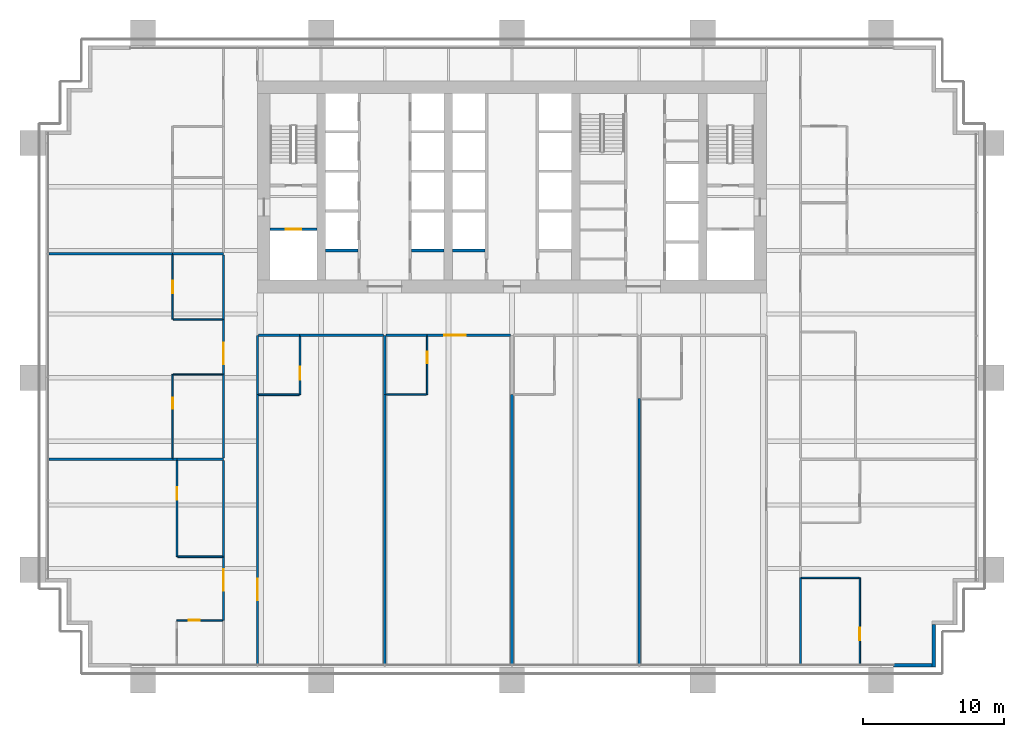
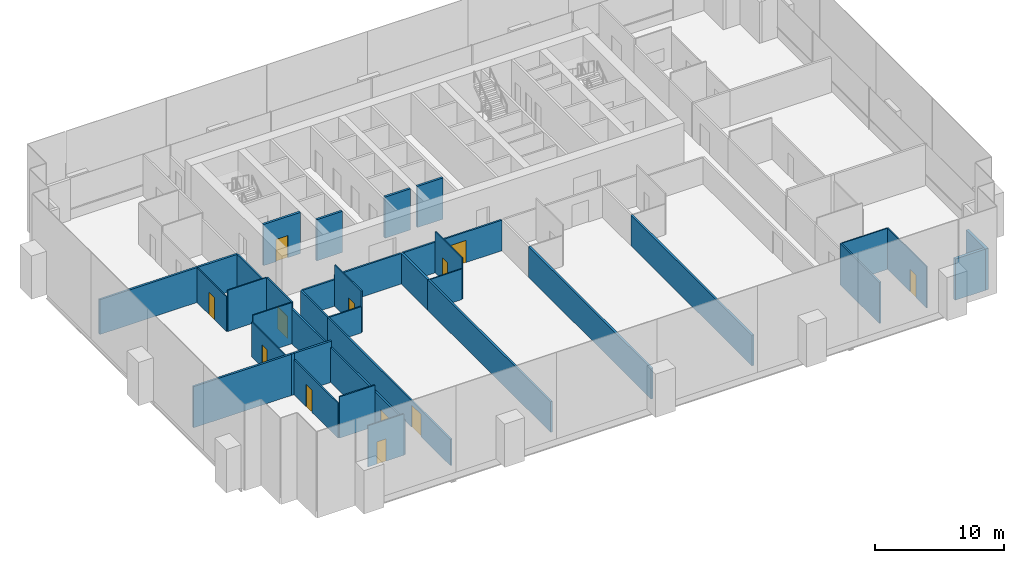
# One storey, part 11 of 18: 40 walls, 12 doors, 12 openings.
"""IFC4 building model written with IfcOpenShell, lengths in metres."""

from ifc_helpers import new_model, si_unit, direction, frame, frame_2d, origin, place, context, subcontext, project, spatial, rectangle, extrude, material, layer, layer_set, type_object, element, fill, save


model = new_model("IFC4")

# Units and contexts
model_context = context("Model", 3, precision=1e-05, world=origin(), true_north=direction((0.0, 1.0)))
body_context = subcontext(model_context, "Body", "Model", "MODEL_VIEW")
ifc_project = project(units=[si_unit("LENGTHUNIT", "METRE"), si_unit("AREAUNIT", "SQUARE_METRE"), si_unit("VOLUMEUNIT", "CUBIC_METRE"), si_unit("PLANEANGLEUNIT", "RADIAN"), si_unit("MASSUNIT", "GRAM", prefix="KILO")], contexts=[model_context])

# Site, building, storey
site_placement = place(None, origin())
site = spatial("IfcSite", under=ifc_project, at=site_placement, CompositionType="ELEMENT")
building_placement = place(site_placement, origin())
building = spatial("IfcBuilding", under=site, at=building_placement, Name="Rattan Terrace Tower", CompositionType="ELEMENT")
storey_placement = place(building_placement, frame((0.0, 0.0, 57.0)))
storey = spatial("IfcBuildingStorey", under=building, at=storey_placement, Name="L12", CompositionType="ELEMENT", Elevation=57.0)

# Wall, opening, door
ifc_material_1 = material(Name="Gypsum board partition")
ifc_layer_1 = layer(ifc_material_1, 0.199951171875)
ifc_layer_set_1 = layer_set([ifc_layer_1], Name="Core partition 200")
wall_type_1 = type_object("IfcWallType", Name="Core partition 200", PredefinedType="PARTITIONING", material=ifc_layer_set_1)
wall_1_placement = place(storey_placement, frame((-17.10009765625, -3.0, 0.0), z_axis=(0.0, 0.0, 1.0), x_axis=(1.0, 0.0, 0.0)))
wall_1 = element("IfcWall", 1, at=wall_1_placement, inside=storey, type_object=wall_type_1, Name="Fire-fighting lobby wall", PredefinedType="PARTITIONING", context=body_context, shape_type="SweptSolid", body=[
    extrude(rectangle(XDim=3.300048828125, YDim=0.199951171875, at=frame_2d((1.64990234375, 0.0))), origin(), (0.0, 0.0, 1.0), 3.89990234375),
])
opening_1_placement = place(wall_1_placement, frame((1.10009765625, 0.0, 0.0)))
opening_1 = element("IfcOpeningElement", 2, at=opening_1_placement, cuts=wall_1, Name="Opening L12-LD-FF1", PredefinedType="OPENING", context=body_context, shape_type="SweptSolid", body=[
    extrude(rectangle(XDim=1.10009765625, YDim=2.10009765625, at=frame_2d((0.550048828125, 1.050048828125))), frame((0.0, 0.110595703125, 0.0), z_axis=(0.0, -1.0, 0.0), x_axis=(1.0, 0.0, 0.0)), (0.0, 0.0, 1.0), 0.220947265625),
])
ifc_material_2 = material(Name="Brushed stainless landing door panel")
door_type_1 = type_object("IfcDoorType", Name="Core lift landing door 1100", OperationType="DOUBLE_DOOR_SLIDING", PredefinedType="DOOR", material=ifc_material_2)
door_1_placement = place(opening_1_placement, origin())
door_1 = element("IfcDoor", 3, at=door_1_placement, inside=storey, type_object=door_type_1, Name="Door L12-LD-FF1", OperationType="DOUBLE_DOOR_SLIDING", OverallHeight=2.10009765625, OverallWidth=1.10009765625, PredefinedType="DOOR", context=body_context, shape_type="SweptSolid", body=[
    extrude(rectangle(XDim=1.10009765625, YDim=2.10009765625, at=frame_2d((0.550048828125, 1.050048828125))), frame((0.0, 0.02490234375, 0.0), z_axis=(0.0, -1.0, 0.0), x_axis=(1.0, 0.0, 0.0)), (0.0, 0.0, 1.0), 0.050048828125),
])
fill(opening_1, door_1)

# Walls
ifc_material_3 = material(Name="Insulated aluminium-clad stud wall", Category="aluminium")
ifc_layer_2 = layer(ifc_material_3, 0.25)
ifc_layer_set_2 = layer_set([ifc_layer_2], Name="Facade Riser Wall 250")
wall_type_2 = type_object("IfcWallType", Name="Facade Riser Wall 250", PredefinedType="SOLIDWALL", material=ifc_layer_set_2)
wall_2_placement = place(storey_placement, frame((27.0, -33.830078125, 0.0), z_axis=(0.0, 0.0, 1.0), x_axis=(1.0, 0.0, 0.0)))
element("IfcWall", 4, at=wall_2_placement, inside=storey, type_object=wall_type_2, Name="Riser wall L12-1", PredefinedType="SOLIDWALL", context=body_context, shape_type="SweptSolid", body=[
    extrude(rectangle(XDim=2.705078125, YDim=0.25, at=frame_2d((1.3525390625, 0.0))), origin(), (0.0, 0.0, 1.0), 3.89990234375),
])
wall_3_placement = place(storey_placement, frame((29.830078125, -33.955078125, 0.0), z_axis=(0.0, 0.0, 1.0), x_axis=(0.0, 1.0, 0.0)))
element("IfcWall", 5, at=wall_3_placement, inside=storey, type_object=wall_type_2, Name="Riser wall L12-2", PredefinedType="SOLIDWALL", context=body_context, shape_type="SweptSolid", body=[
    extrude(rectangle(XDim=3.0, YDim=0.25, at=frame_2d((1.5, 0.0))), origin(), (0.0, 0.0, 1.0), 3.89990234375),
])
ifc_material_4 = material(Name="Double steel stud acoustic partition, gypsum board, mineral wool, fire rated", Category="steel")
ifc_layer_3 = layer(ifc_material_4, 0.179931640625)
ifc_layer_set_3 = layer_set([ifc_layer_3], Name="Floors Acoustic Party Wall 180")
wall_type_3 = type_object("IfcWallType", Name="Floors Acoustic Party Wall 180", PredefinedType="PARTITIONING", material=ifc_layer_set_3)
wall_4_placement = place(storey_placement, frame((-32.739990234375, -19.27294921875, 0.0), z_axis=(0.0, 0.0, 1.0), x_axis=(1.0, 0.0, 0.0)))
element("IfcWall", 6, at=wall_4_placement, inside=storey, type_object=wall_type_3, Name="pt-L12-035", PredefinedType="PARTITIONING", context=body_context, shape_type="SweptSolid", body=[
    extrude(rectangle(XDim=8.760009765625, YDim=0.179931640625, at=frame_2d((4.3798828125, 0.0))), origin(), (0.0, 0.0, 1.0), 3.89990234375),
])
wall_5_placement = place(storey_placement, frame((-23.97998046875, -19.27294921875, 0.0), z_axis=(0.0, 0.0, 1.0), x_axis=(1.0, 0.0, 0.0)))
element("IfcWall", 7, at=wall_5_placement, inside=storey, type_object=wall_type_3, Name="pt-L12-036", PredefinedType="PARTITIONING", context=body_context, shape_type="SweptSolid", body=[
    extrude(rectangle(XDim=0.280029296875, YDim=0.179931640625, at=frame_2d((0.14013671875, 0.0))), origin(), (0.0, 0.0, 1.0), 3.89990234375),
])
wall_6_placement = place(storey_placement, frame((-23.699951171875, -19.27294921875, 0.0), z_axis=(0.0, 0.0, 1.0), x_axis=(1.0, 0.0, 0.0)))
element("IfcWall", 8, at=wall_6_placement, inside=storey, type_object=wall_type_3, Name="pt-L12-037", PredefinedType="PARTITIONING", context=body_context, shape_type="SweptSolid", body=[
    extrude(rectangle(XDim=3.300048828125, YDim=0.179931640625, at=frame_2d((1.64990234375, 0.0))), origin(), (0.0, 0.0, 1.0), 3.89990234375),
])
wall_7_placement = place(storey_placement, frame((-32.739990234375, -4.72705078125, 0.0), z_axis=(0.0, 0.0, 1.0), x_axis=(1.0, 0.0, 0.0)))
element("IfcWall", 9, at=wall_7_placement, inside=storey, type_object=wall_type_3, Name="pt-L12-042", PredefinedType="PARTITIONING", context=body_context, shape_type="SweptSolid", body=[
    extrude(rectangle(XDim=8.739990234375, YDim=0.179931640625, at=frame_2d((4.3701171875, 0.0))), origin(), (0.0, 0.0, 1.0), 3.300048828125),
])
wall_8_placement = place(storey_placement, frame((-24.0, -4.72705078125, 0.0), z_axis=(0.0, 0.0, 1.0), x_axis=(1.0, 0.0, 0.0)))
element("IfcWall", 10, at=wall_8_placement, inside=storey, type_object=wall_type_3, Name="pt-L12-043", PredefinedType="PARTITIONING", context=body_context, shape_type="SweptSolid", body=[
    extrude(rectangle(XDim=3.60009765625, YDim=0.179931640625, at=frame_2d((1.800048828125, 0.0))), origin(), (0.0, 0.0, 1.0), 3.300048828125),
])
wall_9_placement = place(storey_placement, frame((-9.0, -14.679931640625, 0.0), z_axis=(0.0, 0.0, 1.0), x_axis=(0.0, -1.0, 0.0)))
element("IfcWall", 11, at=wall_9_placement, inside=storey, type_object=wall_type_3, Name="pt-L12-065", PredefinedType="PARTITIONING", context=body_context, shape_type="SweptSolid", body=[
    extrude(rectangle(XDim=19.06005859375, YDim=0.179931640625, at=frame_2d((9.530029296875, 0.0))), origin(), (0.0, 0.0, 1.0), 2.89990234375),
])
wall_10_placement = place(storey_placement, frame((-9.0, -10.5, 0.0), z_axis=(0.0, 0.0, 1.0), x_axis=(0.0, -1.0, 0.0)))
element("IfcWall", 12, at=wall_10_placement, inside=storey, type_object=wall_type_3, Name="pt-L12-066", PredefinedType="PARTITIONING", context=body_context, shape_type="SweptSolid", body=[
    extrude(rectangle(XDim=4.179931640625, YDim=0.179931640625, at=frame_2d((2.08984375, 0.0))), origin(), (0.0, 0.0, 1.0), 2.89990234375),
])
wall_11_placement = place(storey_placement, frame((0.0, -14.679931640625, 0.0), z_axis=(0.0, 0.0, 1.0), x_axis=(0.0, -1.0, 0.0)))
element("IfcWall", 13, at=wall_11_placement, inside=storey, type_object=wall_type_3, Name="pt-L12-069", PredefinedType="PARTITIONING", context=body_context, shape_type="SweptSolid", body=[
    extrude(rectangle(XDim=19.06005859375, YDim=0.179931640625, at=frame_2d((9.530029296875, 0.0))), origin(), (0.0, 0.0, 1.0), 2.89990234375),
])
wall_12_placement = place(storey_placement, frame((9.0, -14.97998046875, 0.0), z_axis=(0.0, 0.0, 1.0), x_axis=(0.0, -1.0, 0.0)))
element("IfcWall", 14, at=wall_12_placement, inside=storey, type_object=wall_type_3, Name="pt-L12-073", PredefinedType="PARTITIONING", context=body_context, shape_type="SweptSolid", body=[
    extrude(rectangle(XDim=18.760009765625, YDim=0.179931640625, at=frame_2d((9.3798828125, 0.0))), origin(), (0.0, 0.0, 1.0), 2.89990234375),
])

# Wall, opening, door
ifc_material_5 = material(Name="Gypsum board partition on steel studs", Category="steel")
ifc_layer_4 = layer(ifc_material_5, 0.10009765625)
ifc_layer_set_4 = layer_set([ifc_layer_4], Name="Floors Partition 100")
wall_type_4 = type_object("IfcWallType", Name="Floors Partition 100", PredefinedType="PARTITIONING", material=ifc_layer_set_4)
wall_13_placement = place(storey_placement, frame((-20.47509765625, -30.659912109375, 0.0), z_axis=(0.0, 0.0, 1.0), x_axis=(-1.0, 0.0, 0.0)))
wall_13 = element("IfcWall", 15, at=wall_13_placement, inside=storey, type_object=wall_type_4, Name="pt-L12-032", PredefinedType="PARTITIONING", context=body_context, shape_type="SweptSolid", body=[
    extrude(rectangle(XDim=3.224853515625, YDim=0.10009765625, at=frame_2d((1.6123046875, 0.0))), origin(), (0.0, 0.0, 1.0), 3.89990234375),
])
opening_2_placement = place(wall_13_placement, frame((1.596923828125, 0.0, 0.0)))
opening_2 = element("IfcOpeningElement", 16, at=opening_2_placement, cuts=wall_13, Name="Opening L12-D101", PredefinedType="OPENING", context=body_context, shape_type="SweptSolid", body=[
    extrude(rectangle(XDim=0.800048828125, YDim=2.10009765625, at=frame_2d((0.39990234375, 1.050048828125))), frame((0.0, 0.060546875, 0.0), z_axis=(0.0, -1.0, 0.0), x_axis=(1.0, 0.0, 0.0)), (0.0, 0.0, 1.0), 0.12109375),
])
ifc_material_6 = material(Name="Solid core timber door, painted", Category="wood")
door_type_2 = type_object("IfcDoorType", Name="Floors Store Door 800x2100", OperationType="NOTDEFINED", PredefinedType="DOOR", material=ifc_material_6)
door_2_placement = place(opening_2_placement, origin())
door_2 = element("IfcDoor", 17, at=door_2_placement, inside=storey, type_object=door_type_2, Name="d-L12-101", OperationType="SINGLE_SWING_RIGHT", OverallHeight=2.10009765625, OverallWidth=0.800048828125, PredefinedType="DOOR", context=body_context, shape_type="SweptSolid", body=[
    extrude(rectangle(XDim=0.800048828125, YDim=2.10009765625, at=frame_2d((0.39990234375, 1.050048828125))), frame((0.0, 0.02490234375, 0.0), z_axis=(0.0, -1.0, 0.0), x_axis=(1.0, 0.0, 0.0)), (0.0, 0.0, 1.0), 0.050048828125),
])
fill(opening_2, door_2)

wall_14_placement = place(storey_placement, frame((-24.0, -13.27294921875, 0.0), z_axis=(0.0, 0.0, 1.0), x_axis=(0.0, -1.0, 0.0)))
wall_14 = element("IfcWall", 18, at=wall_14_placement, inside=storey, type_object=wall_type_4, Name="pt-L12-038", PredefinedType="PARTITIONING", context=body_context, shape_type="SweptSolid", body=[
    extrude(rectangle(XDim=5.91015625, YDim=0.10009765625, at=frame_2d((2.955078125, 0.0))), origin(), (0.0, 0.0, 1.0), 3.300048828125),
])
opening_3_placement = place(wall_14_placement, frame((1.633056640625, 0.0, 0.0)))
opening_3 = element("IfcOpeningElement", 19, at=opening_3_placement, cuts=wall_14, Name="Opening L12-D104", PredefinedType="OPENING", context=body_context, shape_type="SweptSolid", body=[
    extrude(rectangle(XDim=0.800048828125, YDim=2.10009765625, at=frame_2d((0.39990234375, 1.050048828125))), frame((0.0, 0.060546875, 0.0), z_axis=(0.0, -1.0, 0.0), x_axis=(1.0, 0.0, 0.0)), (0.0, 0.0, 1.0), 0.12109375),
])
door_3_placement = place(opening_3_placement, origin())
door_3 = element("IfcDoor", 20, at=door_3_placement, inside=storey, type_object=door_type_2, Name="d-L12-104", OperationType="SINGLE_SWING_LEFT", OverallHeight=2.10009765625, OverallWidth=0.800048828125, PredefinedType="DOOR", context=body_context, shape_type="SweptSolid", body=[
    extrude(rectangle(XDim=0.800048828125, YDim=2.10009765625, at=frame_2d((0.39990234375, 1.050048828125))), frame((0.0, 0.02490234375, 0.0), z_axis=(0.0, -1.0, 0.0), x_axis=(1.0, 0.0, 0.0)), (0.0, 0.0, 1.0), 0.050048828125),
])
fill(opening_3, door_3)

# Wall
wall_15_placement = place(storey_placement, frame((-20.47509765625, -13.27294921875, 0.0), z_axis=(0.0, 0.0, 1.0), x_axis=(-1.0, 0.0, 0.0)))
element("IfcWall", 21, at=wall_15_placement, inside=storey, type_object=wall_type_4, Name="pt-L12-039", PredefinedType="PARTITIONING", context=body_context, shape_type="SweptSolid", body=[
    extrude(rectangle(XDim=3.474853515625, YDim=0.10009765625, at=frame_2d((1.7373046875, 0.0))), origin(), (0.0, 0.0, 1.0), 3.89990234375),
])

# Wall, opening, door
wall_16_placement = place(storey_placement, frame((-24.0, -4.81689453125, 0.0), z_axis=(0.0, 0.0, 1.0), x_axis=(0.0, -1.0, 0.0)))
wall_16 = element("IfcWall", 22, at=wall_16_placement, inside=storey, type_object=wall_type_4, Name="pt-L12-040", PredefinedType="PARTITIONING", context=body_context, shape_type="SweptSolid", body=[
    extrude(rectangle(XDim=4.55615234375, YDim=0.10009765625, at=frame_2d((2.278076171875, 0.0))), origin(), (0.0, 0.0, 1.0), 3.300048828125),
])
opening_4_placement = place(wall_16_placement, frame((1.827880859375, 0.0, 0.0)))
opening_4 = element("IfcOpeningElement", 23, at=opening_4_placement, cuts=wall_16, Name="Opening L12-D105", PredefinedType="OPENING", context=body_context, shape_type="SweptSolid", body=[
    extrude(rectangle(XDim=0.89990234375, YDim=2.10009765625, at=frame_2d((0.449951171875, 1.050048828125))), frame((0.0, 0.060546875, 0.0), z_axis=(0.0, -1.0, 0.0), x_axis=(1.0, 0.0, 0.0)), (0.0, 0.0, 1.0), 0.12109375),
])
ifc_material_7 = material(Name="Solid core timber door, painted", Category="wood")
door_type_3 = type_object("IfcDoorType", Name="Floors Door 900x2100", OperationType="NOTDEFINED", PredefinedType="DOOR", material=ifc_material_7)
door_4_placement = place(opening_4_placement, origin())
door_4 = element("IfcDoor", 24, at=door_4_placement, inside=storey, type_object=door_type_3, Name="d-L12-105", OperationType="SINGLE_SWING_RIGHT", OverallHeight=2.10009765625, OverallWidth=0.89990234375, PredefinedType="DOOR", context=body_context, shape_type="SweptSolid", body=[
    extrude(rectangle(XDim=0.89990234375, YDim=2.10009765625, at=frame_2d((0.449951171875, 1.050048828125))), frame((0.0, 0.02490234375, 0.0), z_axis=(0.0, -1.0, 0.0), x_axis=(1.0, 0.0, 0.0)), (0.0, 0.0, 1.0), 0.050048828125),
])
fill(opening_4, door_4)

# Walls
wall_17_placement = place(storey_placement, frame((-23.949951171875, -9.373046875, 0.0), z_axis=(0.0, 0.0, 1.0), x_axis=(1.0, 0.0, 0.0)))
element("IfcWall", 25, at=wall_17_placement, inside=storey, type_object=wall_type_4, Name="pt-L12-041", PredefinedType="PARTITIONING", context=body_context, shape_type="SweptSolid", body=[
    extrude(rectangle(XDim=3.474853515625, YDim=0.10009765625, at=frame_2d((1.7373046875, 0.0))), origin(), (0.0, 0.0, 1.0), 3.89990234375),
])
wall_18_placement = place(storey_placement, frame((24.550048828125, -27.659912109375, 0.0), z_axis=(0.0, 0.0, 1.0), x_axis=(-1.0, 0.0, 0.0)))
element("IfcWall", 26, at=wall_18_placement, inside=storey, type_object=wall_type_4, Name="pt-L12-048", PredefinedType="PARTITIONING", context=body_context, shape_type="SweptSolid", body=[
    extrude(rectangle(XDim=4.074951171875, YDim=0.10009765625, at=frame_2d((2.03759765625, 0.0))), origin(), (0.0, 0.0, 1.0), 3.89990234375),
])

# Wall, opening, door
wall_19_placement = place(storey_placement, frame((24.60009765625, -33.739990234375, 0.0), z_axis=(0.0, 0.0, 1.0), x_axis=(0.0, 1.0, 0.0)))
wall_19 = element("IfcWall", 27, at=wall_19_placement, inside=storey, type_object=wall_type_4, Name="pt-L12-049", PredefinedType="PARTITIONING", context=body_context, shape_type="SweptSolid", body=[
    extrude(rectangle(XDim=6.080078125, YDim=0.10009765625, at=frame_2d((3.0400390625, 0.0))), origin(), (0.0, 0.0, 1.0), 3.89990234375),
])
opening_5_placement = place(wall_19_placement, frame((1.654052734375, 0.0, 0.0)))
opening_5 = element("IfcOpeningElement", 28, at=opening_5_placement, cuts=wall_19, Name="Opening L12-D110", PredefinedType="OPENING", context=body_context, shape_type="SweptSolid", body=[
    extrude(rectangle(XDim=0.89990234375, YDim=2.10009765625, at=frame_2d((0.449951171875, 1.050048828125))), frame((0.0, 0.060546875, 0.0), z_axis=(0.0, -1.0, 0.0), x_axis=(1.0, 0.0, 0.0)), (0.0, 0.0, 1.0), 0.12109375),
])
door_5_placement = place(opening_5_placement, origin())
door_5 = element("IfcDoor", 29, at=door_5_placement, inside=storey, type_object=door_type_3, Name="d-L12-110", OperationType="SINGLE_SWING_LEFT", OverallHeight=2.10009765625, OverallWidth=0.89990234375, PredefinedType="DOOR", context=body_context, shape_type="SweptSolid", body=[
    extrude(rectangle(XDim=0.89990234375, YDim=2.10009765625, at=frame_2d((0.449951171875, 1.050048828125))), frame((0.0, 0.02490234375, 0.0), z_axis=(0.0, -1.0, 0.0), x_axis=(1.0, 0.0, 0.0)), (0.0, 0.0, 1.0), 0.050048828125),
])
fill(opening_5, door_5)

# Wall
wall_20_placement = place(storey_placement, frame((-8.909912109375, -14.699951171875, 0.0), z_axis=(0.0, 0.0, 1.0), x_axis=(1.0, 0.0, 0.0)))
element("IfcWall", 30, at=wall_20_placement, inside=storey, type_object=wall_type_4, Name="pt-L12-067", PredefinedType="PARTITIONING", context=body_context, shape_type="SweptSolid", body=[
    extrude(rectangle(XDim=2.85986328125, YDim=0.10009765625, at=frame_2d((1.429931640625, 0.0))), origin(), (0.0, 0.0, 1.0), 2.89990234375),
])

# Wall, opening, door
wall_21_placement = place(storey_placement, frame((-6.0, -14.699951171875, 0.0), z_axis=(0.0, 0.0, 1.0), x_axis=(0.0, 1.0, 0.0)))
wall_21 = element("IfcWall", 31, at=wall_21_placement, inside=storey, type_object=wall_type_4, Name="pt-L12-068", PredefinedType="PARTITIONING", context=body_context, shape_type="SweptSolid", body=[
    extrude(rectangle(XDim=4.125, YDim=0.10009765625, at=frame_2d((2.0625, 0.0))), origin(), (0.0, 0.0, 1.0), 3.89990234375),
])
opening_6_placement = place(wall_21_placement, frame((2.22802734375, 0.0, 0.0)))
opening_6 = element("IfcOpeningElement", 32, at=opening_6_placement, cuts=wall_21, Name="Opening L12-D121", PredefinedType="OPENING", context=body_context, shape_type="SweptSolid", body=[
    extrude(rectangle(XDim=0.800048828125, YDim=2.10009765625, at=frame_2d((0.39990234375, 1.050048828125))), frame((0.0, 0.060546875, 0.0), z_axis=(0.0, -1.0, 0.0), x_axis=(1.0, 0.0, 0.0)), (0.0, 0.0, 1.0), 0.12109375),
])
door_6_placement = place(opening_6_placement, origin())
door_6 = element("IfcDoor", 33, at=door_6_placement, inside=storey, type_object=door_type_2, Name="d-L12-121", OperationType="SINGLE_SWING_RIGHT", OverallHeight=2.10009765625, OverallWidth=0.800048828125, PredefinedType="DOOR", context=body_context, shape_type="SweptSolid", body=[
    extrude(rectangle(XDim=0.800048828125, YDim=2.10009765625, at=frame_2d((0.39990234375, 1.050048828125))), frame((0.0, 0.02490234375, 0.0), z_axis=(0.0, -1.0, 0.0), x_axis=(1.0, 0.0, 0.0)), (0.0, 0.0, 1.0), 0.050048828125),
])
fill(opening_6, door_6)

ifc_material_8 = material(Name="Gypsum board partition on steel studs, fire rated", Category="steel")
ifc_layer_5 = layer(ifc_material_8, 0.14990234375)
ifc_layer_set_5 = layer_set([ifc_layer_5], Name="Floors Tenancy Wall 150")
wall_type_5 = type_object("IfcWallType", Name="Floors Tenancy Wall 150", PredefinedType="PARTITIONING", material=ifc_layer_set_5)
wall_22_placement = place(storey_placement, frame((-20.39990234375, -30.679931640625, 0.0), z_axis=(0.0, 0.0, 1.0), x_axis=(0.0, 1.0, 0.0)))
wall_22 = element("IfcWall", 34, at=wall_22_placement, inside=storey, type_object=wall_type_5, Name="pt-L12-001", PredefinedType="PARTITIONING", context=body_context, shape_type="SweptSolid", body=[
    extrude(rectangle(XDim=4.5, YDim=0.14990234375, at=frame_2d((2.25, 0.0))), origin(), (0.0, 0.0, 1.0), 3.300048828125),
])
opening_7_placement = place(wall_22_placement, frame((2.125, 0.0, 0.0)))
opening_7 = element("IfcOpeningElement", 35, at=opening_7_placement, cuts=wall_22, Name="Opening L12-D100", PredefinedType="OPENING", context=body_context, shape_type="SweptSolid", body=[
    extrude(rectangle(XDim=1.5, YDim=2.10009765625, at=frame_2d((0.75, 1.050048828125))), frame((0.0, 0.08544921875, 0.0), z_axis=(0.0, -1.0, 0.0), x_axis=(1.0, 0.0, 0.0)), (0.0, 0.0, 1.0), 0.1708984375),
])
ifc_material_9 = material(Name="Steel fire door set", Category="steel")
door_type_4 = type_object("IfcDoorType", Name="Floors Unit Door Pair FD30S 1500x2100", OperationType="NOTDEFINED", PredefinedType="DOOR", material=ifc_material_9)
door_7_placement = place(opening_7_placement, origin())
door_7 = element("IfcDoor", 36, at=door_7_placement, inside=storey, type_object=door_type_4, Name="d-L12-100", OperationType="DOUBLE_DOOR_SINGLE_SWING", OverallHeight=2.10009765625, OverallWidth=1.5, PredefinedType="DOOR", context=body_context, shape_type="SweptSolid", body=[
    extrude(rectangle(XDim=1.5, YDim=2.10009765625, at=frame_2d((0.75, 1.050048828125))), frame((0.0, 0.02490234375, 0.0), z_axis=(0.0, -1.0, 0.0), x_axis=(1.0, 0.0, 0.0)), (0.0, 0.0, 1.0), 0.050048828125),
])
fill(opening_7, door_7)

# Wall
wall_23_placement = place(storey_placement, frame((-20.39990234375, -26.179931640625, 0.0), z_axis=(0.0, 0.0, 1.0), x_axis=(0.0, 1.0, 0.0)))
element("IfcWall", 37, at=wall_23_placement, inside=storey, type_object=wall_type_5, Name="pt-L12-003", PredefinedType="PARTITIONING", context=body_context, shape_type="SweptSolid", body=[
    extrude(rectangle(XDim=6.81689453125, YDim=0.14990234375, at=frame_2d((3.408447265625, 0.0))), origin(), (0.0, 0.0, 1.0), 3.300048828125),
])

# Wall, opening, door
wall_24_placement = place(storey_placement, frame((-20.39990234375, -13.2529296875, 0.0), z_axis=(0.0, 0.0, 1.0), x_axis=(0.0, 1.0, 0.0)))
wall_24 = element("IfcWall", 38, at=wall_24_placement, inside=storey, type_object=wall_type_5, Name="pt-L12-004", PredefinedType="PARTITIONING", context=body_context, shape_type="SweptSolid", body=[
    extrude(rectangle(XDim=3.85986328125, YDim=0.14990234375, at=frame_2d((1.929931640625, 0.0))), origin(), (0.0, 0.0, 1.0), 3.89990234375),
])
opening_8_placement = place(wall_24_placement, frame((0.715087890625, 0.0, 0.0)))
opening_8 = element("IfcOpeningElement", 39, at=opening_8_placement, cuts=wall_24, Name="Opening L12-D103", PredefinedType="OPENING", context=body_context, shape_type="SweptSolid", body=[
    extrude(rectangle(XDim=1.5, YDim=2.10009765625, at=frame_2d((0.75, 1.050048828125))), frame((0.0, 0.08544921875, 0.0), z_axis=(0.0, -1.0, 0.0), x_axis=(1.0, 0.0, 0.0)), (0.0, 0.0, 1.0), 0.1708984375),
])
door_8_placement = place(opening_8_placement, origin())
door_8 = element("IfcDoor", 40, at=door_8_placement, inside=storey, type_object=door_type_4, Name="d-L12-103", OperationType="DOUBLE_DOOR_SINGLE_SWING", OverallHeight=2.10009765625, OverallWidth=1.5, PredefinedType="DOOR", context=body_context, shape_type="SweptSolid", body=[
    extrude(rectangle(XDim=1.5, YDim=2.10009765625, at=frame_2d((0.75, 1.050048828125))), frame((0.0, 0.02490234375, 0.0), z_axis=(0.0, -1.0, 0.0), x_axis=(1.0, 0.0, 0.0)), (0.0, 0.0, 1.0), 0.050048828125),
])
fill(opening_8, door_8)

# Walls
wall_25_placement = place(storey_placement, frame((-20.39990234375, -19.18310546875, 0.0), z_axis=(0.0, 0.0, 1.0), x_axis=(0.0, 1.0, 0.0)))
element("IfcWall", 41, at=wall_25_placement, inside=storey, type_object=wall_type_5, Name="pt-L12-005", PredefinedType="PARTITIONING", context=body_context, shape_type="SweptSolid", body=[
    extrude(rectangle(XDim=5.93017578125, YDim=0.14990234375, at=frame_2d((2.965087890625, 0.0))), origin(), (0.0, 0.0, 1.0), 3.300048828125),
])
wall_26_placement = place(storey_placement, frame((-20.39990234375, -9.39306640625, 0.0), z_axis=(0.0, 0.0, 1.0), x_axis=(0.0, 1.0, 0.0)))
element("IfcWall", 42, at=wall_26_placement, inside=storey, type_object=wall_type_5, Name="pt-L12-006", PredefinedType="PARTITIONING", context=body_context, shape_type="SweptSolid", body=[
    extrude(rectangle(XDim=4.576171875, YDim=0.14990234375, at=frame_2d((2.2880859375, 0.0))), origin(), (0.0, 0.0, 1.0), 3.300048828125),
])
wall_27_placement = place(storey_placement, frame((20.39990234375, -27.639892578125, 0.0), z_axis=(0.0, 0.0, 1.0), x_axis=(0.0, -1.0, 0.0)))
element("IfcWall", 43, at=wall_27_placement, inside=storey, type_object=wall_type_5, Name="pt-L12-011", PredefinedType="PARTITIONING", context=body_context, shape_type="SweptSolid", body=[
    extrude(rectangle(XDim=6.10009765625, YDim=0.14990234375, at=frame_2d((3.050048828125, 0.0))), origin(), (0.0, 0.0, 1.0), 3.89990234375),
])

# Wall, opening, door
wall_28_placement = place(storey_placement, frame((-18.0, -14.679931640625, 0.0), z_axis=(0.0, 0.0, 1.0), x_axis=(0.0, -1.0, 0.0)))
wall_28 = element("IfcWall", 44, at=wall_28_placement, inside=storey, type_object=wall_type_5, Name="pt-L12-020", PredefinedType="PARTITIONING", context=body_context, shape_type="SweptSolid", body=[
    extrude(rectangle(XDim=19.06005859375, YDim=0.14990234375, at=frame_2d((9.530029296875, 0.0))), origin(), (0.0, 0.0, 1.0), 2.5),
])
opening_9_placement = place(wall_28_placement, frame((13.044921875, 0.0, 0.0)))
opening_9 = element("IfcOpeningElement", 45, at=opening_9_placement, cuts=wall_28, Name="Opening L12-D118", PredefinedType="OPENING", context=body_context, shape_type="SweptSolid", body=[
    extrude(rectangle(XDim=1.5, YDim=2.10009765625, at=frame_2d((0.75, 1.050048828125))), frame((0.0, 0.08544921875, 0.0), z_axis=(0.0, -1.0, 0.0), x_axis=(1.0, 0.0, 0.0)), (0.0, 0.0, 1.0), 0.1708984375),
])
door_9_placement = place(opening_9_placement, origin())
door_9 = element("IfcDoor", 46, at=door_9_placement, inside=storey, type_object=door_type_4, Name="d-L12-118", OperationType="DOUBLE_DOOR_SINGLE_SWING", OverallHeight=2.10009765625, OverallWidth=1.5, PredefinedType="DOOR", context=body_context, shape_type="SweptSolid", body=[
    extrude(rectangle(XDim=1.5, YDim=2.10009765625, at=frame_2d((0.75, 1.050048828125))), frame((0.0, 0.02490234375, 0.0), z_axis=(0.0, -1.0, 0.0), x_axis=(1.0, 0.0, 0.0)), (0.0, 0.0, 1.0), 0.050048828125),
])
fill(opening_9, door_9)

# Walls
wall_29_placement = place(storey_placement, frame((-9.090087890625, -10.5, 0.0), z_axis=(0.0, 0.0, 1.0), x_axis=(-1.0, 0.0, 0.0)))
element("IfcWall", 47, at=wall_29_placement, inside=storey, type_object=wall_type_5, Name="pt-L12-021", PredefinedType="PARTITIONING", context=body_context, shape_type="SweptSolid", body=[
    extrude(rectangle(XDim=5.929931640625, YDim=0.14990234375, at=frame_2d((2.96484375, 0.0))), origin(), (0.0, 0.0, 1.0), 2.89990234375),
])
wall_30_placement = place(storey_placement, frame((-18.0, -10.5, 0.0), z_axis=(0.0, 0.0, 1.0), x_axis=(0.0, -1.0, 0.0)))
element("IfcWall", 48, at=wall_30_placement, inside=storey, type_object=wall_type_5, Name="pt-L12-022", PredefinedType="PARTITIONING", context=body_context, shape_type="SweptSolid", body=[
    extrude(rectangle(XDim=4.179931640625, YDim=0.14990234375, at=frame_2d((2.08984375, 0.0))), origin(), (0.0, 0.0, 1.0), 2.5),
])
wall_31_placement = place(storey_placement, frame((-15.02001953125, -10.5, 0.0), z_axis=(0.0, 0.0, 1.0), x_axis=(-1.0, 0.0, 0.0)))
element("IfcWall", 49, at=wall_31_placement, inside=storey, type_object=wall_type_5, Name="pt-L12-023", PredefinedType="PARTITIONING", context=body_context, shape_type="SweptSolid", body=[
    extrude(rectangle(XDim=2.905029296875, YDim=0.14990234375, at=frame_2d((1.45263671875, 0.0))), origin(), (0.0, 0.0, 1.0), 2.5),
])

# Wall, opening, door
wall_32_placement = place(storey_placement, frame((-0.090087890625, -10.5, 0.0), z_axis=(0.0, 0.0, 1.0), x_axis=(-1.0, 0.0, 0.0)))
wall_32 = element("IfcWall", 50, at=wall_32_placement, inside=storey, type_object=wall_type_5, Name="pt-L12-024", PredefinedType="PARTITIONING", context=body_context, shape_type="SweptSolid", body=[
    extrude(rectangle(XDim=5.929931640625, YDim=0.14990234375, at=frame_2d((2.96484375, 0.0))), origin(), (0.0, 0.0, 1.0), 2.89990234375),
])
opening_10_placement = place(wall_32_placement, frame((3.197021484375, 0.0, 0.0)))
opening_10 = element("IfcOpeningElement", 51, at=opening_10_placement, cuts=wall_32, Name="Opening L12-D120", PredefinedType="OPENING", context=body_context, shape_type="SweptSolid", body=[
    extrude(rectangle(XDim=1.5, YDim=2.10009765625, at=frame_2d((0.75, 1.050048828125))), frame((0.0, 0.08544921875, 0.0), z_axis=(0.0, -1.0, 0.0), x_axis=(1.0, 0.0, 0.0)), (0.0, 0.0, 1.0), 0.1708984375),
])
door_10_placement = place(opening_10_placement, origin())
door_10 = element("IfcDoor", 52, at=door_10_placement, inside=storey, type_object=door_type_4, Name="d-L12-120", OperationType="DOUBLE_DOOR_SINGLE_SWING", OverallHeight=2.10009765625, OverallWidth=1.5, PredefinedType="DOOR", context=body_context, shape_type="SweptSolid", body=[
    extrude(rectangle(XDim=1.5, YDim=2.10009765625, at=frame_2d((0.75, 1.050048828125))), frame((0.0, 0.02490234375, 0.0), z_axis=(0.0, -1.0, 0.0), x_axis=(1.0, 0.0, 0.0)), (0.0, 0.0, 1.0), 0.050048828125),
])
fill(opening_10, door_10)

# Wall
wall_33_placement = place(storey_placement, frame((-6.02001953125, -10.5, 0.0), z_axis=(0.0, 0.0, 1.0), x_axis=(-1.0, 0.0, 0.0)))
element("IfcWall", 53, at=wall_33_placement, inside=storey, type_object=wall_type_5, Name="pt-L12-025", PredefinedType="PARTITIONING", context=body_context, shape_type="SweptSolid", body=[
    extrude(rectangle(XDim=2.889892578125, YDim=0.14990234375, at=frame_2d((1.44482421875, 0.0))), origin(), (0.0, 0.0, 1.0), 2.89990234375),
])

# Wall, opening, door
ifc_material_10 = material(Name="Moisture resistant gypsum board partition on steel studs with service cavity", Category="steel")
ifc_layer_6 = layer(ifc_material_10, 0.1201171875)
ifc_layer_set_6 = layer_set([ifc_layer_6], Name="Floors Wet Wall 120")
wall_type_6 = type_object("IfcWallType", Name="Floors Wet Wall 120", PredefinedType="PARTITIONING", material=ifc_layer_set_6)
wall_34_placement = place(storey_placement, frame((-23.699951171875, -19.363037109375, 0.0), z_axis=(0.0, 0.0, 1.0), x_axis=(0.0, -1.0, 0.0)))
wall_34 = element("IfcWall", 54, at=wall_34_placement, inside=storey, type_object=wall_type_6, Name="pt-L12-033", PredefinedType="PARTITIONING", context=body_context, shape_type="SweptSolid", body=[
    extrude(rectangle(XDim=6.796875, YDim=0.1201171875, at=frame_2d((3.3984375, 0.0))), origin(), (0.0, 0.0, 1.0), 3.300048828125),
])
opening_11_placement = place(wall_34_placement, frame((1.868896484375, 0.0, 0.0)))
opening_11 = element("IfcOpeningElement", 55, at=opening_11_placement, cuts=wall_34, Name="Opening L12-D102", PredefinedType="OPENING", context=body_context, shape_type="SweptSolid", body=[
    extrude(rectangle(XDim=0.89990234375, YDim=2.10009765625, at=frame_2d((0.449951171875, 1.050048828125))), frame((0.0, 0.070556640625, 0.0), z_axis=(0.0, -1.0, 0.0), x_axis=(1.0, 0.0, 0.0)), (0.0, 0.0, 1.0), 0.14111328125),
])
door_11_placement = place(opening_11_placement, origin())
door_11 = element("IfcDoor", 56, at=door_11_placement, inside=storey, type_object=door_type_3, Name="d-L12-102", OperationType="SINGLE_SWING_LEFT", OverallHeight=2.10009765625, OverallWidth=0.89990234375, PredefinedType="DOOR", context=body_context, shape_type="SweptSolid", body=[
    extrude(rectangle(XDim=0.89990234375, YDim=2.10009765625, at=frame_2d((0.449951171875, 1.050048828125))), frame((0.0, 0.02490234375, 0.0), z_axis=(0.0, -1.0, 0.0), x_axis=(1.0, 0.0, 0.0)), (0.0, 0.0, 1.0), 0.050048828125),
])
fill(opening_11, door_11)

# Walls
wall_35_placement = place(storey_placement, frame((-23.639892578125, -26.159912109375, 0.0), z_axis=(0.0, 0.0, 1.0), x_axis=(1.0, 0.0, 0.0)))
element("IfcWall", 57, at=wall_35_placement, inside=storey, type_object=wall_type_6, Name="pt-L12-034", PredefinedType="PARTITIONING", context=body_context, shape_type="SweptSolid", body=[
    extrude(rectangle(XDim=3.164794921875, YDim=0.1201171875, at=frame_2d((1.58251953125, 0.0))), origin(), (0.0, 0.0, 1.0), 3.89990234375),
])
wall_36_placement = place(storey_placement, frame((-17.925048828125, -14.699951171875, 0.0), z_axis=(0.0, 0.0, 1.0), x_axis=(1.0, 0.0, 0.0)))
element("IfcWall", 58, at=wall_36_placement, inside=storey, type_object=wall_type_6, Name="pt-L12-063", PredefinedType="PARTITIONING", context=body_context, shape_type="SweptSolid", body=[
    extrude(rectangle(XDim=2.864990234375, YDim=0.1201171875, at=frame_2d((1.4326171875, 0.0))), origin(), (0.0, 0.0, 1.0), 2.5),
])

# Wall, opening, door
wall_37_placement = place(storey_placement, frame((-15.0, -14.699951171875, 0.0), z_axis=(0.0, 0.0, 1.0), x_axis=(0.0, 1.0, 0.0)))
wall_37 = element("IfcWall", 59, at=wall_37_placement, inside=storey, type_object=wall_type_6, Name="pt-L12-064", PredefinedType="PARTITIONING", context=body_context, shape_type="SweptSolid", body=[
    extrude(rectangle(XDim=4.125, YDim=0.1201171875, at=frame_2d((2.0625, 0.0))), origin(), (0.0, 0.0, 1.0), 3.89990234375),
])
opening_12_placement = place(wall_37_placement, frame((1.06689453125, 0.0, 0.0)))
opening_12 = element("IfcOpeningElement", 60, at=opening_12_placement, cuts=wall_37, Name="Opening L12-D119", PredefinedType="OPENING", context=body_context, shape_type="SweptSolid", body=[
    extrude(rectangle(XDim=0.89990234375, YDim=2.10009765625, at=frame_2d((0.449951171875, 1.050048828125))), frame((0.0, 0.070556640625, 0.0), z_axis=(0.0, -1.0, 0.0), x_axis=(1.0, 0.0, 0.0)), (0.0, 0.0, 1.0), 0.14111328125),
])
door_12_placement = place(opening_12_placement, origin())
door_12 = element("IfcDoor", 61, at=door_12_placement, inside=storey, type_object=door_type_3, Name="d-L12-119", OperationType="SINGLE_SWING_LEFT", OverallHeight=2.10009765625, OverallWidth=0.89990234375, PredefinedType="DOOR", context=body_context, shape_type="SweptSolid", body=[
    extrude(rectangle(XDim=0.89990234375, YDim=2.10009765625, at=frame_2d((0.449951171875, 1.050048828125))), frame((0.0, 0.02490234375, 0.0), z_axis=(0.0, -1.0, 0.0), x_axis=(1.0, 0.0, 0.0)), (0.0, 0.0, 1.0), 0.050048828125),
])
fill(opening_12, door_12)

# Walls
ifc_material_11 = material(Name="Gypsum shaft wall system")
ifc_layer_7 = layer(ifc_material_11, 0.199951171875)
ifc_layer_set_7 = layer_set([ifc_layer_7], Name="Lift shaft wall 200")
wall_type_7 = type_object("IfcWallType", Name="Lift shaft wall 200", PredefinedType="PARTITIONING", material=ifc_layer_set_7)
for number, where, z_axis, x_axis, name in (
    (62, (-13.199951171875, -4.5, 0.0), (0.0, 0.0, 1.0), (1.0, 0.0, 0.0), "Lift shaft wall"),
    (63, (-7.10009765625, -4.5, 0.0), (0.0, 0.0, 1.0), (1.0, 0.0, 0.0), "Lift shaft wall"),
    (64, (-4.199951171875, -4.5, 0.0), (0.0, 0.0, 1.0), (1.0, 0.0, 0.0), "Lift shaft wall"),
):
    element("IfcWall", number, at=place(storey_placement, frame(where, z_axis=z_axis, x_axis=x_axis)), inside=storey, type_object=wall_type_7, Name=name, PredefinedType="PARTITIONING", context=body_context, shape_type="SweptSolid", body=[
        extrude(rectangle(XDim=2.300048828125, YDim=0.199951171875, at=frame_2d((1.14990234375, 0.0))), origin(), (0.0, 0.0, 1.0), 3.89990234375),
    ])

save(model, "model.ifc")
